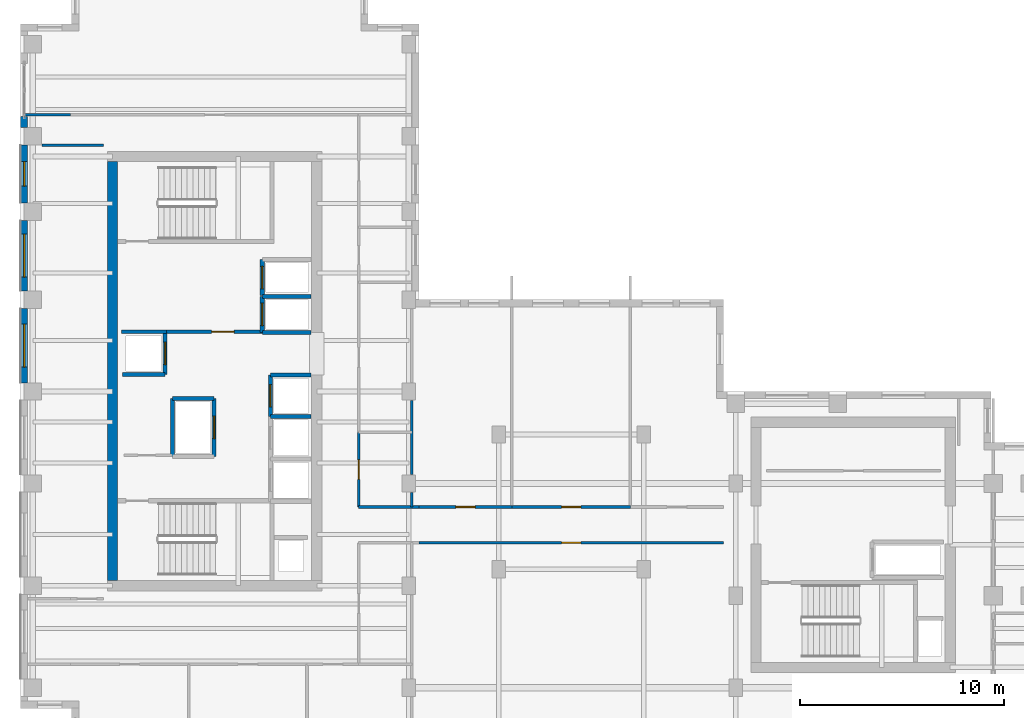
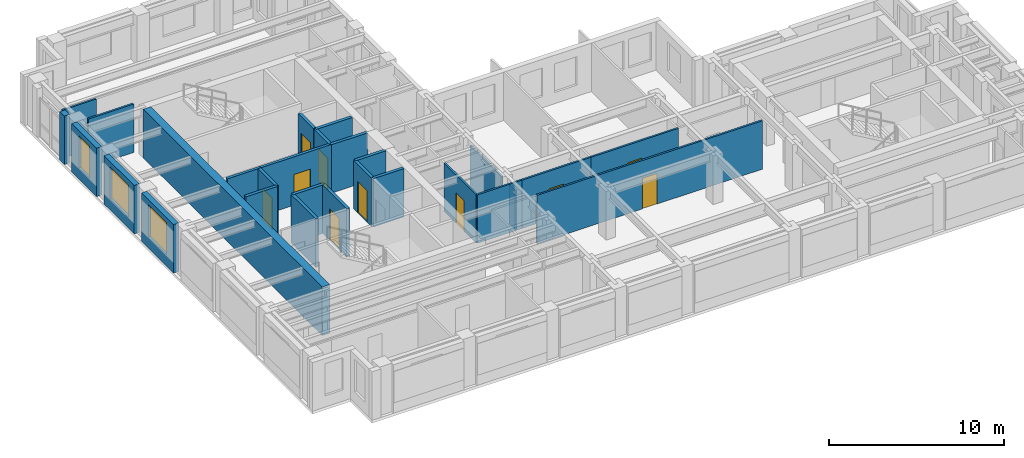
# One storey, part 7 of 12: 28 walls, 10 doors, 3 windows, 13 openings.
"""IFC4 building model written with IfcOpenShell, lengths in metres."""

from ifc_helpers import new_model, si_unit, direction, frame, frame_2d, origin, place, context, subcontext, project, spatial, rectangle, extrude, source, transform, mapped, material, layer, layer_set, type_object, element, fill, save


model = new_model("IFC4")

# Units and contexts
model_context = context("Model", 3, precision=1e-05, world=origin(), true_north=direction((0.0, 1.0)))
body_context = subcontext(model_context, "Body", "Model", "MODEL_VIEW")
ifc_project = project(units=[si_unit("LENGTHUNIT", "METRE"), si_unit("AREAUNIT", "SQUARE_METRE"), si_unit("VOLUMEUNIT", "CUBIC_METRE"), si_unit("PLANEANGLEUNIT", "RADIAN"), si_unit("MASSUNIT", "GRAM", prefix="KILO")], contexts=[model_context])

# Site, building, storey
site_placement = place(None, origin())
site = spatial("IfcSite", under=ifc_project, at=site_placement, CompositionType="ELEMENT")
building_placement = place(site_placement, origin())
building = spatial("IfcBuilding", under=site, at=building_placement, Name="Kharzan Plaza Tower", CompositionType="ELEMENT")
storey_placement = place(building_placement, frame((0.0, 0.0, 255.60009765625)))
storey = spatial("IfcBuildingStorey", under=building, at=storey_placement, Name="L69", CompositionType="ELEMENT", Elevation=255.60009765625)

# Wall, opening, window
ifc_material_1 = material(Name="Concrete C40/50", Category="concrete")
ifc_layer_1 = layer(ifc_material_1, 0.35009765625)
ifc_layer_set_1 = layer_set([ifc_layer_1], Name="Concrete C40/50")
wall_type_1 = type_object("IfcWallType", Name="WL-EXT-MAS-Z4", PredefinedType="SOLIDWALL", material=ifc_layer_set_1)
wall_1_placement = place(storey_placement, frame((0.175048828125, 30.076904296875, 0.0), z_axis=(0.0, 0.0, 1.0), x_axis=(0.0, -1.0, 0.0)))
wall_1 = element("IfcWall", 1, at=wall_1_placement, inside=storey, type_object=wall_type_1, Name="L69 Masonry-Frame Exterior Wall 17", PredefinedType="SOLIDWALL", context=body_context, shape_type="SweptSolid", body=[
    extrude(rectangle(XDim=2.85400390625, YDim=0.35009765625, at=frame_2d((1.427001953125, 0.0))), origin(), (0.0, 0.0, 1.0), 3.385009765625),
])
opening_1_placement = place(wall_1_placement, frame((0.826904296875, 0.0, 0.780029296875)))
opening_1 = element("IfcOpeningElement", 2, at=opening_1_placement, cuts=wall_1, Name="Opening W3", PredefinedType="OPENING", context=body_context, shape_type="SweptSolid", body=[
    extrude(rectangle(XDim=1.199951171875, YDim=2.25, at=frame_2d((0.60009765625, 1.125))), frame((0.0, 0.18505859375, 0.0), z_axis=(0.0, -1.0, 0.0), x_axis=(1.0, 0.0, 0.0)), (0.0, 0.0, 1.0), 0.3701171875),
])
ifc_material_2 = material(Name="Low-E Double Glazing", Category="glass")
window_type_1 = type_object("IfcWindowType", Name="WN-REC-1200x2100", PartitioningType="SINGLE_PANEL", PredefinedType="WINDOW", material=ifc_material_2)
shared_shape_1 = source(origin(), body_context, "Body", "SweptSolid", [
    extrude(rectangle(XDim=1.199951171875, YDim=2.25, at=frame_2d((0.60009765625, 1.125))), frame((0.0, 0.030029296875, 0.0), z_axis=(0.0, -1.0, 0.0), x_axis=(1.0, 0.0, 0.0)), (0.0, 0.0, 1.0), 0.06005859375),
])
window_1_placement = place(opening_1_placement, origin())
window_1 = element("IfcWindow", 3, at=window_1_placement, inside=storey, type_object=window_type_1, Name="L69 Recessed Solar-Control Window 17-1", OverallHeight=2.25, OverallWidth=1.199951171875, PartitioningType="SINGLE_PANEL", PredefinedType="WINDOW", context=body_context, shape_type="MappedRepresentation", body=[
    mapped(shared_shape_1, transform((0.0, 0.0, 0.0), x_axis=(1.0, 0.0, 0.0), y_axis=(0.0, 1.0, 0.0), z_axis=(0.0, 0.0, 1.0))),
])
fill(opening_1, window_1)

wall_2_placement = place(storey_placement, frame((0.175048828125, 26.376953125, 0.0), z_axis=(0.0, 0.0, 1.0), x_axis=(0.0, -1.0, 0.0)))
wall_2 = element("IfcWall", 4, at=wall_2_placement, inside=storey, type_object=wall_type_1, Name="L69 Masonry-Frame Exterior Wall 18", PredefinedType="SOLIDWALL", context=body_context, shape_type="SweptSolid", body=[
    extrude(rectangle(XDim=3.453857421875, YDim=0.35009765625, at=frame_2d((1.72705078125, 0.0))), origin(), (0.0, 0.0, 1.0), 3.385009765625),
])
opening_2_placement = place(wall_2_placement, frame((0.677001953125, 0.0, 0.780029296875)))
opening_2 = element("IfcOpeningElement", 5, at=opening_2_placement, cuts=wall_2, Name="Opening W6", PredefinedType="OPENING", context=body_context, shape_type="SweptSolid", body=[
    extrude(rectangle(XDim=2.10009765625, YDim=2.25, at=frame_2d((1.050048828125, 1.125))), frame((0.0, 0.18505859375, 0.0), z_axis=(0.0, -1.0, 0.0), x_axis=(1.0, 0.0, 0.0)), (0.0, 0.0, 1.0), 0.3701171875),
])
window_type_2 = type_object("IfcWindowType", Name="WN-EXEC-2100x2250", PartitioningType="SINGLE_PANEL", PredefinedType="WINDOW", material=ifc_material_2)
shared_shape_2 = source(origin(), body_context, "Body", "SweptSolid", [
    extrude(rectangle(XDim=2.10009765625, YDim=2.25, at=frame_2d((1.050048828125, 1.125))), frame((0.0, 0.030029296875, 0.0), z_axis=(0.0, -1.0, 0.0), x_axis=(1.0, 0.0, 0.0)), (0.0, 0.0, 1.0), 0.06005859375),
])
window_2_placement = place(opening_2_placement, origin())
window_2 = element("IfcWindow", 6, at=window_2_placement, inside=storey, type_object=window_type_2, Name="L69 Recessed Solar-Control Window 18-1", OverallHeight=2.25, OverallWidth=2.10009765625, PartitioningType="SINGLE_PANEL", PredefinedType="WINDOW", context=body_context, shape_type="MappedRepresentation", body=[
    mapped(shared_shape_2, transform((0.0, 0.0, 0.0), x_axis=(1.0, 0.0, 0.0), y_axis=(0.0, 1.0, 0.0), z_axis=(0.0, 0.0, 1.0))),
])
fill(opening_2, window_2)

wall_3_placement = place(storey_placement, frame((0.175048828125, 22.076904296875, 0.0), z_axis=(0.0, 0.0, 1.0), x_axis=(0.0, -1.0, 0.0)))
wall_3 = element("IfcWall", 7, at=wall_3_placement, inside=storey, type_object=wall_type_1, Name="L69 Masonry-Frame Exterior Wall 19", PredefinedType="SOLIDWALL", context=body_context, shape_type="SweptSolid", body=[
    extrude(rectangle(XDim=3.65380859375, YDim=0.35009765625, at=frame_2d((1.826904296875, 0.0))), origin(), (0.0, 0.0, 1.0), 3.385009765625),
])
opening_3_placement = place(wall_3_placement, frame((0.777099609375, 0.0, 0.780029296875)))
opening_3 = element("IfcOpeningElement", 8, at=opening_3_placement, cuts=wall_3, Name="Opening W6", PredefinedType="OPENING", context=body_context, shape_type="SweptSolid", body=[
    extrude(rectangle(XDim=2.10009765625, YDim=2.25, at=frame_2d((1.050048828125, 1.125))), frame((0.0, 0.18505859375, 0.0), z_axis=(0.0, -1.0, 0.0), x_axis=(1.0, 0.0, 0.0)), (0.0, 0.0, 1.0), 0.3701171875),
])
window_3_placement = place(opening_3_placement, origin())
window_3 = element("IfcWindow", 9, at=window_3_placement, inside=storey, type_object=window_type_2, Name="L69 Recessed Solar-Control Window 19-1", OverallHeight=2.25, OverallWidth=2.10009765625, PartitioningType="SINGLE_PANEL", PredefinedType="WINDOW", context=body_context, shape_type="MappedRepresentation", body=[
    mapped(shared_shape_2, transform((0.0, 0.0, 0.0), x_axis=(1.0, 0.0, 0.0), y_axis=(0.0, 1.0, 0.0), z_axis=(0.0, 0.0, 1.0))),
])
fill(opening_3, window_3)

# Wall, opening, door
ifc_layer_2 = layer(ifc_material_1, 0.179931640625)
ifc_layer_set_2 = layer_set([ifc_layer_2], Name="Concrete C40/50")
wall_type_2 = type_object("IfcWallType", Name="WL-INT-FIRE-180", PredefinedType="PARTITIONING", material=ifc_layer_set_2)
wall_4_placement = place(storey_placement, frame((7.14990234375, 20.919921875, 0.0), z_axis=(0.0, 0.0, 1.0), x_axis=(1.0, 0.0, 0.0)))
wall_4 = element("IfcWall", 10, at=wall_4_placement, inside=storey, type_object=wall_type_2, Name="L69 Interior Partition CA-FF-S", PredefinedType="PARTITIONING", context=body_context, shape_type="SweptSolid", body=[
    extrude(rectangle(XDim=4.68017578125, YDim=0.179931640625, at=frame_2d((2.340087890625, 0.0))), origin(), (0.0, 0.0, 1.0), 3.385009765625),
])
opening_4_placement = place(wall_4_placement, frame((2.199951171875, 0.0, 0.0)))
opening_4 = element("IfcOpeningElement", 11, at=opening_4_placement, cuts=wall_4, Name="Opening FD1", PredefinedType="OPENING", context=body_context, shape_type="SweptSolid", body=[
    extrude(rectangle(XDim=1.10009765625, YDim=2.14990234375, at=frame_2d((0.550048828125, 1.074951171875))), frame((0.0, 0.099853515625, 0.0), z_axis=(0.0, -1.0, 0.0), x_axis=(1.0, 0.0, 0.0)), (0.0, 0.0, 1.0), 0.199951171875),
])
ifc_material_3 = material(Name="Fire-Rated Acoustic Vision-Panel Steel", Category="steel")
door_type_1 = type_object("IfcDoorType", Name="DR-FIRE-LOBBY", OperationType="NOTDEFINED", PredefinedType="DOOR", material=ifc_material_3)
shared_shape_3 = source(origin(), body_context, "Body", "SweptSolid", [
    extrude(rectangle(XDim=1.10009765625, YDim=2.14990234375, at=frame_2d((0.550048828125, 1.074951171875))), frame((0.0, 0.02490234375, 0.0), z_axis=(0.0, -1.0, 0.0), x_axis=(1.0, 0.0, 0.0)), (0.0, 0.0, 1.0), 0.050048828125),
])
door_1_placement = place(opening_4_placement, origin())
door_1 = element("IfcDoor", 12, at=door_1_placement, inside=storey, type_object=door_type_1, Name="L69 Firefighting Lobby Door", OperationType="SINGLE_SWING_RIGHT", OverallHeight=2.14990234375, OverallWidth=1.10009765625, PredefinedType="DOOR", context=body_context, shape_type="MappedRepresentation", body=[
    mapped(shared_shape_3, transform((0.0, 0.0, 0.0), x_axis=(1.0, 0.0, 0.0), y_axis=(0.0, 1.0, 0.0), z_axis=(0.0, 0.0, 1.0))),
])
fill(opening_4, door_1)

ifc_material_4 = material(Name="Fire-Rated Gypsum Board Partition", Category="gypsum")
ifc_layer_3 = layer(ifc_material_4, 0.125)
ifc_layer_set_3 = layer_set([ifc_layer_3], Name="Fire-Rated Gypsum Board Partition")
wall_type_3 = type_object("IfcWallType", Name="WL-INT-PART-125", PredefinedType="PARTITIONING", material=ifc_layer_set_3)
wall_5_placement = place(storey_placement, frame((16.550048828125, 12.35009765625, 0.0), z_axis=(0.0, 0.0, 1.0), x_axis=(0.0, 1.0, 0.0)))
wall_5 = element("IfcWall", 13, at=wall_5_placement, inside=storey, type_object=wall_type_3, Name="L69 Interior Partition SH-AEWN1", PredefinedType="PARTITIONING", context=body_context, shape_type="SweptSolid", body=[
    extrude(rectangle(XDim=3.64990234375, YDim=0.125, at=frame_2d((1.824951171875, 0.0))), origin(), (0.0, 0.0, 1.0), 3.385009765625),
])
opening_5_placement = place(wall_5_placement, frame((1.35009765625, 0.0, 0.0)))
opening_5 = element("IfcOpeningElement", 14, at=opening_5_placement, cuts=wall_5, Name="Opening OD1", PredefinedType="OPENING", context=body_context, shape_type="SweptSolid", body=[
    extrude(rectangle(XDim=0.949951171875, YDim=2.14990234375, at=frame_2d((0.47509765625, 1.074951171875))), frame((0.0, 0.072509765625, 0.0), z_axis=(0.0, -1.0, 0.0), x_axis=(1.0, 0.0, 0.0)), (0.0, 0.0, 1.0), 0.14501953125),
])
ifc_material_5 = material(Name="Acoustic Solid-Core Stained Oak", Category="timber")
door_type_2 = type_object("IfcDoorType", Name="DR-OFF-SINGLE", OperationType="NOTDEFINED", PredefinedType="DOOR", material=ifc_material_5)
shared_shape_4 = source(origin(), body_context, "Body", "SweptSolid", [
    extrude(rectangle(XDim=0.949951171875, YDim=2.14990234375, at=frame_2d((0.47509765625, 1.074951171875))), frame((0.0, 0.02490234375, 0.0), z_axis=(0.0, -1.0, 0.0), x_axis=(1.0, 0.0, 0.0)), (0.0, 0.0, 1.0), 0.050048828125),
])
door_2_placement = place(opening_5_placement, origin())
door_2 = element("IfcDoor", 15, at=door_2_placement, inside=storey, type_object=door_type_2, Name="L69 Slot Collaboration Door", OperationType="SINGLE_SWING_RIGHT", OverallHeight=2.14990234375, OverallWidth=0.949951171875, PredefinedType="DOOR", context=body_context, shape_type="MappedRepresentation", body=[
    mapped(shared_shape_4, transform((0.0, 0.0, 0.0), x_axis=(1.0, 0.0, 0.0), y_axis=(0.0, 1.0, 0.0), z_axis=(0.0, 0.0, 1.0))),
])
fill(opening_5, door_2)

wall_6_placement = place(storey_placement, frame((24.050048828125, 12.35009765625, 0.0), z_axis=(0.0, 0.0, 1.0), x_axis=(1.0, 0.0, 0.0)))
wall_6 = element("IfcWall", 16, at=wall_6_placement, inside=storey, type_object=wall_type_3, Name="L69 Interior Partition SH-SPNM", PredefinedType="PARTITIONING", context=body_context, shape_type="SweptSolid", body=[
    extrude(rectangle(XDim=5.800048828125, YDim=0.125, at=frame_2d((2.89990234375, 0.0))), origin(), (0.0, 0.0, 1.0), 3.385009765625),
])
opening_6_placement = place(wall_6_placement, frame((2.425048828125, 0.0, 0.0)))
opening_6 = element("IfcOpeningElement", 17, at=opening_6_placement, cuts=wall_6, Name="Opening OD1", PredefinedType="OPENING", context=body_context, shape_type="SweptSolid", body=[
    extrude(rectangle(XDim=0.949951171875, YDim=2.14990234375, at=frame_2d((0.47509765625, 1.074951171875))), frame((0.0, 0.072509765625, 0.0), z_axis=(0.0, -1.0, 0.0), x_axis=(1.0, 0.0, 0.0)), (0.0, 0.0, 1.0), 0.14501953125),
])
door_3_placement = place(opening_6_placement, origin())
door_3 = element("IfcDoor", 18, at=door_3_placement, inside=storey, type_object=door_type_2, Name="L69 Reclaimed Spine Door", OperationType="SINGLE_SWING_LEFT", OverallHeight=2.14990234375, OverallWidth=0.949951171875, PredefinedType="DOOR", context=body_context, shape_type="MappedRepresentation", body=[
    mapped(shared_shape_4, transform((0.0, 0.0, 0.0), x_axis=(1.0, 0.0, 0.0), y_axis=(0.0, 1.0, 0.0), z_axis=(0.0, 0.0, 1.0))),
])
fill(opening_6, door_3)

wall_7_placement = place(storey_placement, frame((19.5, 12.35009765625, 0.0), z_axis=(0.0, 0.0, 1.0), x_axis=(1.0, 0.0, 0.0)))
wall_7 = element("IfcWall", 19, at=wall_7_placement, inside=storey, type_object=wall_type_3, Name="L69 Interior Partition SH-SPNW1", PredefinedType="PARTITIONING", context=body_context, shape_type="SweptSolid", body=[
    extrude(rectangle(XDim=4.550048828125, YDim=0.125, at=frame_2d((2.27490234375, 0.0))), origin(), (0.0, 0.0, 1.0), 3.385009765625),
])
opening_7_placement = place(wall_7_placement, frame((1.800048828125, 0.0, 0.0)))
opening_7 = element("IfcOpeningElement", 20, at=opening_7_placement, cuts=wall_7, Name="Opening OD1", PredefinedType="OPENING", context=body_context, shape_type="SweptSolid", body=[
    extrude(rectangle(XDim=0.949951171875, YDim=2.14990234375, at=frame_2d((0.47509765625, 1.074951171875))), frame((0.0, 0.072509765625, 0.0), z_axis=(0.0, -1.0, 0.0), x_axis=(1.0, 0.0, 0.0)), (0.0, 0.0, 1.0), 0.14501953125),
])
door_4_placement = place(opening_7_placement, origin())
door_4 = element("IfcDoor", 21, at=door_4_placement, inside=storey, type_object=door_type_2, Name="L69 North-West Spine Door", OperationType="SINGLE_SWING_LEFT", OverallHeight=2.14990234375, OverallWidth=0.949951171875, PredefinedType="DOOR", context=body_context, shape_type="MappedRepresentation", body=[
    mapped(shared_shape_4, transform((0.0, 0.0, 0.0), x_axis=(1.0, 0.0, 0.0), y_axis=(0.0, 1.0, 0.0), z_axis=(0.0, 0.0, 1.0))),
])
fill(opening_7, door_4)

wall_8_placement = place(storey_placement, frame((19.5, 10.60009765625, 0.0), z_axis=(0.0, 0.0, 1.0), x_axis=(1.0, 0.0, 0.0)))
wall_8 = element("IfcWall", 22, at=wall_8_placement, inside=storey, type_object=wall_type_3, Name="L69 Interior Partition SH-SPS1", PredefinedType="PARTITIONING", context=body_context, shape_type="SweptSolid", body=[
    extrude(rectangle(XDim=14.89990234375, YDim=0.125, at=frame_2d((7.449951171875, 0.0))), origin(), (0.0, 0.0, 1.0), 3.385009765625),
])
opening_8_placement = place(wall_8_placement, frame((6.97509765625, 0.0, 0.0)))
opening_8 = element("IfcOpeningElement", 23, at=opening_8_placement, cuts=wall_8, Name="Opening OD1", PredefinedType="OPENING", context=body_context, shape_type="SweptSolid", body=[
    extrude(rectangle(XDim=0.949951171875, YDim=2.14990234375, at=frame_2d((0.47509765625, 1.074951171875))), frame((0.0, 0.072509765625, 0.0), z_axis=(0.0, -1.0, 0.0), x_axis=(1.0, 0.0, 0.0)), (0.0, 0.0, 1.0), 0.14501953125),
])
door_5_placement = place(opening_8_placement, origin())
door_5 = element("IfcDoor", 24, at=door_5_placement, inside=storey, type_object=door_type_2, Name="L69 South Spine Studio Door", OperationType="SINGLE_SWING_RIGHT", OverallHeight=2.14990234375, OverallWidth=0.949951171875, PredefinedType="DOOR", context=body_context, shape_type="MappedRepresentation", body=[
    mapped(shared_shape_4, transform((0.0, 0.0, 0.0), x_axis=(1.0, 0.0, 0.0), y_axis=(0.0, 1.0, 0.0), z_axis=(0.0, 0.0, 1.0))),
])
fill(opening_8, door_5)

ifc_layer_4 = layer(ifc_material_1, 0.199951171875)
ifc_layer_set_4 = layer_set([ifc_layer_4], Name="Concrete C40/50")
wall_type_4 = type_object("IfcWallType", Name="WL-INT-SHAFT-200", PredefinedType="PARTITIONING", material=ifc_layer_set_4)
wall_9_placement = place(storey_placement, frame((11.830078125, 20.89990234375, 0.0), z_axis=(0.0, 0.0, 1.0), x_axis=(0.0, 1.0, 0.0)))
wall_9 = element("IfcWall", 25, at=wall_9_placement, inside=storey, type_object=wall_type_4, Name="L69 Interior Partition SHF-FFL-1-W", PredefinedType="PARTITIONING", context=body_context, shape_type="SweptSolid", body=[
    extrude(rectangle(XDim=1.760009765625, YDim=0.199951171875, at=frame_2d((0.8798828125, 0.0))), origin(), (0.0, 0.0, 1.0), 3.385009765625),
])
opening_9_placement = place(wall_9_placement, frame((0.330078125, 0.0, 0.0)))
opening_9 = element("IfcOpeningElement", 26, at=opening_9_placement, cuts=wall_9, Name="Opening LD", PredefinedType="OPENING", context=body_context, shape_type="SweptSolid", body=[
    extrude(rectangle(XDim=1.10009765625, YDim=2.199951171875, at=frame_2d((0.550048828125, 1.10009765625))), frame((0.0, 0.10986328125, 0.0), z_axis=(0.0, -1.0, 0.0), x_axis=(1.0, 0.0, 0.0)), (0.0, 0.0, 1.0), 0.219970703125),
])
ifc_material_6 = material(Name="Brushed Stainless Steel", Category="steel")
door_type_3 = type_object("IfcDoorType", Name="DR-LIFT-SLIDE", OperationType="SLIDING_TO_LEFT", PredefinedType="DOOR", material=ifc_material_6)
shared_shape_5 = source(origin(), body_context, "Body", "SweptSolid", [
    extrude(rectangle(XDim=1.10009765625, YDim=2.199951171875, at=frame_2d((0.550048828125, 1.10009765625))), frame((0.0, 0.02490234375, 0.0), z_axis=(0.0, -1.0, 0.0), x_axis=(1.0, 0.0, 0.0)), (0.0, 0.0, 1.0), 0.050048828125),
])
door_6_placement = place(opening_9_placement, origin())
door_6 = element("IfcDoor", 27, at=door_6_placement, inside=storey, type_object=door_type_3, Name="L69 Firefighting Lift FFL-1 Sliding Landing Door", OperationType="SLIDING_TO_LEFT", OverallHeight=2.199951171875, OverallWidth=1.10009765625, PredefinedType="DOOR", context=body_context, shape_type="MappedRepresentation", body=[
    mapped(shared_shape_5, transform((0.0, 0.0, 0.0), x_axis=(1.0, 0.0, 0.0), y_axis=(0.0, 1.0, 0.0), z_axis=(0.0, 0.0, 1.0))),
])
fill(opening_9, door_6)

wall_10_placement = place(storey_placement, frame((11.830078125, 22.699951171875, 0.0), z_axis=(0.0, 0.0, 1.0), x_axis=(0.0, 1.0, 0.0)))
wall_10 = element("IfcWall", 28, at=wall_10_placement, inside=storey, type_object=wall_type_4, Name="L69 Interior Partition SHF-FFL-2-W", PredefinedType="PARTITIONING", context=body_context, shape_type="SweptSolid", body=[
    extrude(rectangle(XDim=1.760009765625, YDim=0.199951171875, at=frame_2d((0.8798828125, 0.0))), origin(), (0.0, 0.0, 1.0), 3.385009765625),
])
opening_10_placement = place(wall_10_placement, frame((0.330078125, 0.0, 0.0)))
opening_10 = element("IfcOpeningElement", 29, at=opening_10_placement, cuts=wall_10, Name="Opening LD", PredefinedType="OPENING", context=body_context, shape_type="SweptSolid", body=[
    extrude(rectangle(XDim=1.10009765625, YDim=2.199951171875, at=frame_2d((0.550048828125, 1.10009765625))), frame((0.0, 0.10986328125, 0.0), z_axis=(0.0, -1.0, 0.0), x_axis=(1.0, 0.0, 0.0)), (0.0, 0.0, 1.0), 0.219970703125),
])
door_7_placement = place(opening_10_placement, origin())
door_7 = element("IfcDoor", 30, at=door_7_placement, inside=storey, type_object=door_type_3, Name="L69 Firefighting Lift FFL-2 Sliding Landing Door", OperationType="SLIDING_TO_LEFT", OverallHeight=2.199951171875, OverallWidth=1.10009765625, PredefinedType="DOOR", context=body_context, shape_type="MappedRepresentation", body=[
    mapped(shared_shape_5, transform((0.0, 0.0, 0.0), x_axis=(1.0, 0.0, 0.0), y_axis=(0.0, 1.0, 0.0), z_axis=(0.0, 0.0, 1.0))),
])
fill(opening_10, door_7)

wall_11_placement = place(storey_placement, frame((12.22998046875, 16.77001953125, 0.0), z_axis=(0.0, 0.0, 1.0), x_axis=(0.0, 1.0, 0.0)))
wall_11 = element("IfcWall", 31, at=wall_11_placement, inside=storey, type_object=wall_type_4, Name="L69 Interior Partition SHF-PL-H3-W", PredefinedType="PARTITIONING", context=body_context, shape_type="SweptSolid", body=[
    extrude(rectangle(XDim=2.050048828125, YDim=0.199951171875, at=frame_2d((1.02490234375, 0.0))), origin(), (0.0, 0.0, 1.0), 3.385009765625),
])
opening_11_placement = place(wall_11_placement, frame((0.47509765625, 0.0, 0.0)))
opening_11 = element("IfcOpeningElement", 32, at=opening_11_placement, cuts=wall_11, Name="Opening LD", PredefinedType="OPENING", context=body_context, shape_type="SweptSolid", body=[
    extrude(rectangle(XDim=1.10009765625, YDim=2.199951171875, at=frame_2d((0.550048828125, 1.10009765625))), frame((0.0, 0.10986328125, 0.0), z_axis=(0.0, -1.0, 0.0), x_axis=(1.0, 0.0, 0.0)), (0.0, 0.0, 1.0), 0.219970703125),
])
door_8_placement = place(opening_11_placement, origin())
door_8 = element("IfcDoor", 33, at=door_8_placement, inside=storey, type_object=door_type_3, Name="L69 High-Rise Passenger Lift PL-H3 Sliding Landing Door", OperationType="SLIDING_TO_LEFT", OverallHeight=2.199951171875, OverallWidth=1.10009765625, PredefinedType="DOOR", context=body_context, shape_type="MappedRepresentation", body=[
    mapped(shared_shape_5, transform((0.0, 0.0, 0.0), x_axis=(1.0, 0.0, 0.0), y_axis=(0.0, 1.0, 0.0), z_axis=(0.0, 0.0, 1.0))),
])
fill(opening_11, door_8)

wall_12_placement = place(storey_placement, frame((7.070068359375, 18.840087890625, 0.0), z_axis=(0.0, 0.0, 1.0), x_axis=(0.0, 1.0, 0.0)))
wall_12 = element("IfcWall", 34, at=wall_12_placement, inside=storey, type_object=wall_type_4, Name="L69 Interior Partition SHF-PL-H4-E", PredefinedType="PARTITIONING", context=body_context, shape_type="SweptSolid", body=[
    extrude(rectangle(XDim=2.059814453125, YDim=0.199951171875, at=frame_2d((1.02978515625, 0.0))), origin(), (0.0, 0.0, 1.0), 3.385009765625),
])
opening_12_placement = place(wall_12_placement, frame((0.47998046875, 0.0, 0.0)))
opening_12 = element("IfcOpeningElement", 35, at=opening_12_placement, cuts=wall_12, Name="Opening LD", PredefinedType="OPENING", context=body_context, shape_type="SweptSolid", body=[
    extrude(rectangle(XDim=1.10009765625, YDim=2.199951171875, at=frame_2d((0.550048828125, 1.10009765625))), frame((0.0, 0.10986328125, 0.0), z_axis=(0.0, -1.0, 0.0), x_axis=(1.0, 0.0, 0.0)), (0.0, 0.0, 1.0), 0.219970703125),
])
door_9_placement = place(opening_12_placement, origin())
door_9 = element("IfcDoor", 36, at=door_9_placement, inside=storey, type_object=door_type_3, Name="L69 High-Rise Passenger Lift PL-H4 Sliding Landing Door", OperationType="SLIDING_TO_LEFT", OverallHeight=2.199951171875, OverallWidth=1.10009765625, PredefinedType="DOOR", context=body_context, shape_type="MappedRepresentation", body=[
    mapped(shared_shape_5, transform((0.0, 0.0, 0.0), x_axis=(1.0, 0.0, 0.0), y_axis=(0.0, 1.0, 0.0), z_axis=(0.0, 0.0, 1.0))),
])
fill(opening_12, door_9)

wall_13_placement = place(storey_placement, frame((9.469970703125, 14.830078125, 0.0), z_axis=(0.0, 0.0, 1.0), x_axis=(0.0, 1.0, 0.0)))
wall_13 = element("IfcWall", 37, at=wall_13_placement, inside=storey, type_object=wall_type_4, Name="L69 Interior Partition SHF-SVL-1-E", PredefinedType="PARTITIONING", context=body_context, shape_type="SweptSolid", body=[
    extrude(rectangle(XDim=2.83984375, YDim=0.199951171875, at=frame_2d((1.419921875, 0.0))), origin(), (0.0, 0.0, 1.0), 3.385009765625),
])
opening_13_placement = place(wall_13_placement, frame((0.8701171875, 0.0, 0.0)))
opening_13 = element("IfcOpeningElement", 38, at=opening_13_placement, cuts=wall_13, Name="Opening LD", PredefinedType="OPENING", context=body_context, shape_type="SweptSolid", body=[
    extrude(rectangle(XDim=1.10009765625, YDim=2.199951171875, at=frame_2d((0.550048828125, 1.10009765625))), frame((0.0, 0.10986328125, 0.0), z_axis=(0.0, -1.0, 0.0), x_axis=(1.0, 0.0, 0.0)), (0.0, 0.0, 1.0), 0.219970703125),
])
door_10_placement = place(opening_13_placement, origin())
door_10 = element("IfcDoor", 39, at=door_10_placement, inside=storey, type_object=door_type_3, Name="L69 Service Lift SVL-1 Sliding Landing Door", OperationType="SLIDING_TO_LEFT", OverallHeight=2.199951171875, OverallWidth=1.10009765625, PredefinedType="DOOR", context=body_context, shape_type="MappedRepresentation", body=[
    mapped(shared_shape_5, transform((0.0, 0.0, 0.0), x_axis=(1.0, 0.0, 0.0), y_axis=(0.0, 1.0, 0.0), z_axis=(0.0, 0.0, 1.0))),
])
fill(opening_13, door_10)

# Walls
shared_shape_6 = source(origin(), body_context, "Body", "SweptSolid", [
    extrude(rectangle(XDim=2.199951171875, YDim=0.179931640625, at=frame_2d((1.10009765625, 0.0))), origin(), (0.0, 0.0, 1.0), 3.385009765625),
])
wall_14_placement = place(storey_placement, frame((4.949951171875, 20.919921875, 0.0), z_axis=(0.0, 0.0, 1.0), x_axis=(1.0, 0.0, 0.0)))
element("IfcWall", 40, at=wall_14_placement, inside=storey, type_object=wall_type_2, Name="L69 Interior Partition CA-FF-SW", PredefinedType="PARTITIONING", context=body_context, shape_type="MappedRepresentation", body=[
    mapped(shared_shape_6, transform((0.0, 0.0, 0.0), x_axis=(1.0, 0.0, 0.0), y_axis=(0.0, 1.0, 0.0), z_axis=(0.0, 0.0, 1.0))),
])
shared_shape_7 = source(origin(), body_context, "Body", "SweptSolid", [
    extrude(rectangle(XDim=2.090087890625, YDim=0.199951171875, at=frame_2d((1.044921875, 0.0))), origin(), (0.0, 0.0, 1.0), 3.385009765625),
])
wall_15_placement = place(storey_placement, frame((4.97998046875, 18.840087890625, 0.0), z_axis=(0.0, 0.0, 1.0), x_axis=(1.0, 0.0, 0.0)))
element("IfcWall", 41, at=wall_15_placement, inside=storey, type_object=wall_type_4, Name="L69 Interior Partition SHF-PL-H4-S", PredefinedType="PARTITIONING", context=body_context, shape_type="MappedRepresentation", body=[
    mapped(shared_shape_7, transform((0.0, 0.0, 0.0), x_axis=(1.0, 0.0, 0.0), y_axis=(0.0, 1.0, 0.0), z_axis=(0.0, 0.0, 1.0))),
])
shared_shape_8 = source(origin(), body_context, "Body", "SweptSolid", [
    extrude(rectangle(XDim=2.0400390625, YDim=0.199951171875, at=frame_2d((1.02001953125, 0.0))), origin(), (0.0, 0.0, 1.0), 3.385009765625),
])
wall_16_placement = place(storey_placement, frame((7.429931640625, 17.669921875, 0.0), z_axis=(0.0, 0.0, 1.0), x_axis=(1.0, 0.0, 0.0)))
element("IfcWall", 42, at=wall_16_placement, inside=storey, type_object=wall_type_4, Name="L69 Interior Partition SHF-SVL-1-N", PredefinedType="PARTITIONING", context=body_context, shape_type="MappedRepresentation", body=[
    mapped(shared_shape_8, transform((0.0, 0.0, 0.0), x_axis=(1.0, 0.0, 0.0), y_axis=(0.0, 1.0, 0.0), z_axis=(0.0, 0.0, 1.0))),
])
shared_shape_9 = source(origin(), body_context, "Body", "SweptSolid", [
    extrude(rectangle(XDim=2.83984375, YDim=0.199951171875, at=frame_2d((1.419921875, 0.0))), origin(), (0.0, 0.0, 1.0), 3.385009765625),
])
wall_17_placement = place(storey_placement, frame((7.429931640625, 14.830078125, 0.0), z_axis=(0.0, 0.0, 1.0), x_axis=(0.0, 1.0, 0.0)))
element("IfcWall", 43, at=wall_17_placement, inside=storey, type_object=wall_type_4, Name="L69 Interior Partition SHF-SVL-1-W", PredefinedType="PARTITIONING", context=body_context, shape_type="MappedRepresentation", body=[
    mapped(shared_shape_9, transform((0.0, 0.0, 0.0), x_axis=(1.0, 0.0, 0.0), y_axis=(0.0, 1.0, 0.0), z_axis=(0.0, 0.0, 1.0))),
])
shared_shape_10 = source(origin(), body_context, "Body", "SweptSolid", [
    extrude(rectangle(XDim=2.949951171875, YDim=0.125, at=frame_2d((1.47509765625, 0.0))), origin(), (0.0, 0.0, 1.0), 3.385009765625),
])
wall_18_placement = place(storey_placement, frame((16.550048828125, 12.35009765625, 0.0), z_axis=(0.0, 0.0, 1.0), x_axis=(1.0, 0.0, 0.0)))
element("IfcWall", 44, at=wall_18_placement, inside=storey, type_object=wall_type_3, Name="L69 Interior Partition SH-SPNW0", PredefinedType="PARTITIONING", context=body_context, shape_type="MappedRepresentation", body=[
    mapped(shared_shape_10, transform((0.0, 0.0, 0.0), x_axis=(1.0, 0.0, 0.0), y_axis=(0.0, 1.0, 0.0), z_axis=(0.0, 0.0, 1.0))),
])
shared_shape_11 = source(origin(), body_context, "Body", "SweptSolid", [
    extrude(rectangle(XDim=0.52685546875, YDim=0.35009765625, at=frame_2d((0.263427734375, 0.0))), origin(), (0.0, 0.0, 1.0), 3.385009765625),
])
wall_19_placement = place(storey_placement, frame((0.175048828125, 31.449951171875, 0.0), z_axis=(0.0, 0.0, 1.0), x_axis=(0.0, -1.0, 0.0)))
element("IfcWall", 45, at=wall_19_placement, inside=storey, type_object=wall_type_1, Name="L69 Masonry-Frame Exterior Wall 16", PredefinedType="SOLIDWALL", context=body_context, shape_type="MappedRepresentation", body=[
    mapped(shared_shape_11, transform((0.0, 0.0, 0.0), x_axis=(1.0, 0.0, 0.0), y_axis=(0.0, 1.0, 0.0), z_axis=(0.0, 0.0, 1.0))),
])
shared_shape_12 = source(origin(), body_context, "Body", "SweptSolid", [
    extrude(rectangle(XDim=3.0, YDim=0.125, at=frame_2d((1.5, 0.0))), origin(), (0.0, 0.0, 1.0), 3.385009765625),
])
wall_20_placement = place(storey_placement, frame((1.050048828125, 30.050048828125, 0.0), z_axis=(0.0, 0.0, 1.0), x_axis=(1.0, 0.0, 0.0)))
element("IfcWall", 46, at=wall_20_placement, inside=storey, type_object=wall_type_3, Name="L69 Interior Partition SH-RWN0", PredefinedType="PARTITIONING", context=body_context, shape_type="MappedRepresentation", body=[
    mapped(shared_shape_12, transform((0.0, 0.0, 0.0), x_axis=(1.0, 0.0, 0.0), y_axis=(0.0, 1.0, 0.0), z_axis=(0.0, 0.0, 1.0))),
])
shared_shape_13 = source(origin(), body_context, "Body", "SweptSolid", [
    extrude(rectangle(XDim=2.389892578125, YDim=0.199951171875, at=frame_2d((1.19482421875, 0.0))), origin(), (0.0, 0.0, 1.0), 3.385009765625),
])
for number, where, z_axis, x_axis, name in (
    (47, (11.830078125, 22.659912109375, 0.0), (0.0, 0.0, 1.0), (1.0, 0.0, 0.0), "L69 Interior Partition SHF-FFL-1-N"),
    (48, (11.830078125, 20.89990234375, 0.0), (0.0, 0.0, 1.0), (1.0, 0.0, 0.0), "L69 Interior Partition SHF-FFL-1-S"),
):
    element("IfcWall", number, at=place(storey_placement, frame(where, z_axis=z_axis, x_axis=x_axis)), inside=storey, type_object=wall_type_4, Name=name, PredefinedType="PARTITIONING", context=body_context, shape_type="MappedRepresentation", body=[
        mapped(shared_shape_13, transform((0.0, 0.0, 0.0), x_axis=(1.0, 0.0, 0.0), y_axis=(0.0, 1.0, 0.0), z_axis=(0.0, 0.0, 1.0))),
    ])
shared_shape_14 = source(origin(), body_context, "Body", "SweptSolid", [
    extrude(rectangle(XDim=1.989990234375, YDim=0.199951171875, at=frame_2d((0.9951171875, 0.0))), origin(), (0.0, 0.0, 1.0), 3.385009765625),
])
for number, where, z_axis, x_axis, name in (
    (49, (12.22998046875, 16.77001953125, 0.0), (0.0, 0.0, 1.0), (1.0, 0.0, 0.0), "L69 Interior Partition SHF-PL-H2-N"),
    (50, (12.22998046875, 18.820068359375, 0.0), (0.0, 0.0, 1.0), (1.0, 0.0, 0.0), "L69 Interior Partition SHF-PL-H3-N"),
):
    element("IfcWall", number, at=place(storey_placement, frame(where, z_axis=z_axis, x_axis=x_axis)), inside=storey, type_object=wall_type_4, Name=name, PredefinedType="PARTITIONING", context=body_context, shape_type="MappedRepresentation", body=[
        mapped(shared_shape_14, transform((0.0, 0.0, 0.0), x_axis=(1.0, 0.0, 0.0), y_axis=(0.0, 1.0, 0.0), z_axis=(0.0, 0.0, 1.0))),
    ])
ifc_material_7 = material(Name="Concrete C50/60", Category="concrete")
ifc_layer_5 = layer(ifc_material_7, 0.5)
ifc_layer_set_5 = layer_set([ifc_layer_5], Name="Concrete C50/60")
wall_type_5 = type_object("IfcWallType", Name="WL-CORE-500", PredefinedType="SHEAR", material=ifc_layer_set_5)
shared_shape_15 = source(origin(), body_context, "Body", "SweptSolid", [
    extrude(rectangle(XDim=20.5, YDim=0.5, at=frame_2d((10.25, 0.0))), origin(), (0.0, 0.0, 1.0), 3.39990234375),
])
wall_21_placement = place(storey_placement, frame((4.5, 8.75, 0.0), z_axis=(0.0, 0.0, 1.0), x_axis=(0.0, 1.0, 0.0)))
element("IfcWall", 51, at=wall_21_placement, inside=storey, type_object=wall_type_5, Name="L69 CORE-A west RC shear wall", PredefinedType="SHEAR", context=body_context, shape_type="MappedRepresentation", body=[
    mapped(shared_shape_15, transform((0.0, 0.0, 0.0), x_axis=(1.0, 0.0, 0.0), y_axis=(0.0, 1.0, 0.0), z_axis=(0.0, 0.0, 1.0))),
])
shared_shape_16 = source(origin(), body_context, "Body", "SweptSolid", [
    extrude(rectangle(XDim=0.699951171875, YDim=0.125, at=frame_2d((0.35009765625, 0.0))), origin(), (0.0, 0.0, 1.0), 2.77294921875),
])
wall_22_placement = place(storey_placement, frame((19.14990234375, 12.35009765625, 0.0), z_axis=(0.0, 0.0, 1.0), x_axis=(0.0, 1.0, 0.0)))
element("IfcWall", 52, at=wall_22_placement, inside=storey, type_object=wall_type_3, Name="L69 Interior Partition SH-AEN-DIV-S1", PredefinedType="PARTITIONING", context=body_context, shape_type="MappedRepresentation", body=[
    mapped(shared_shape_16, transform((0.0, 0.0, 0.0), x_axis=(1.0, 0.0, 0.0), y_axis=(0.0, 1.0, 0.0), z_axis=(0.0, 0.0, 1.0))),
])
shared_shape_17 = source(origin(), body_context, "Body", "SweptSolid", [
    extrude(rectangle(XDim=3.60009765625, YDim=0.125, at=frame_2d((1.800048828125, 0.0))), origin(), (0.0, 0.0, 1.0), 2.77294921875),
])
wall_23_placement = place(storey_placement, frame((19.14990234375, 13.949951171875, 0.0), z_axis=(0.0, 0.0, 1.0), x_axis=(0.0, 1.0, 0.0)))
element("IfcWall", 53, at=wall_23_placement, inside=storey, type_object=wall_type_3, Name="L69 Interior Partition SH-AEN-DIV-S2", PredefinedType="PARTITIONING", context=body_context, shape_type="MappedRepresentation", body=[
    mapped(shared_shape_17, transform((0.0, 0.0, 0.0), x_axis=(1.0, 0.0, 0.0), y_axis=(0.0, 1.0, 0.0), z_axis=(0.0, 0.0, 1.0))),
])
shared_shape_18 = source(origin(), body_context, "Body", "SweptSolid", [
    extrude(rectangle(XDim=2.239990234375, YDim=0.125, at=frame_2d((1.1201171875, 0.0))), origin(), (0.0, 0.0, 1.0), 3.385009765625),
])
wall_24_placement = place(storey_placement, frame((0.2099609375, 31.550048828125, 0.0), z_axis=(0.0, 0.0, 1.0), x_axis=(1.0, 0.0, 0.0)))
element("IfcWall", 54, at=wall_24_placement, inside=storey, type_object=wall_type_3, Name="L69 Interior Partition SH-NNW0", PredefinedType="PARTITIONING", context=body_context, shape_type="MappedRepresentation", body=[
    mapped(shared_shape_18, transform((0.0, 0.0, 0.0), x_axis=(1.0, 0.0, 0.0), y_axis=(0.0, 1.0, 0.0), z_axis=(0.0, 0.0, 1.0))),
])

save(model, "model.ifc")
